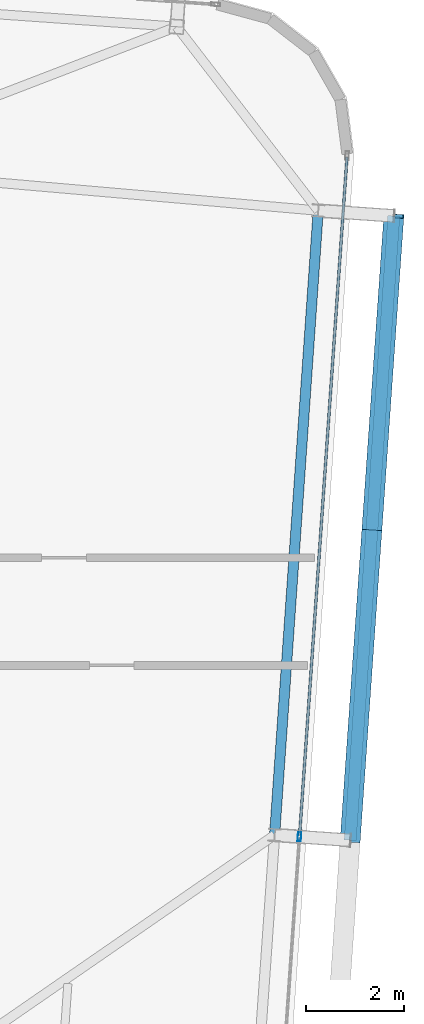
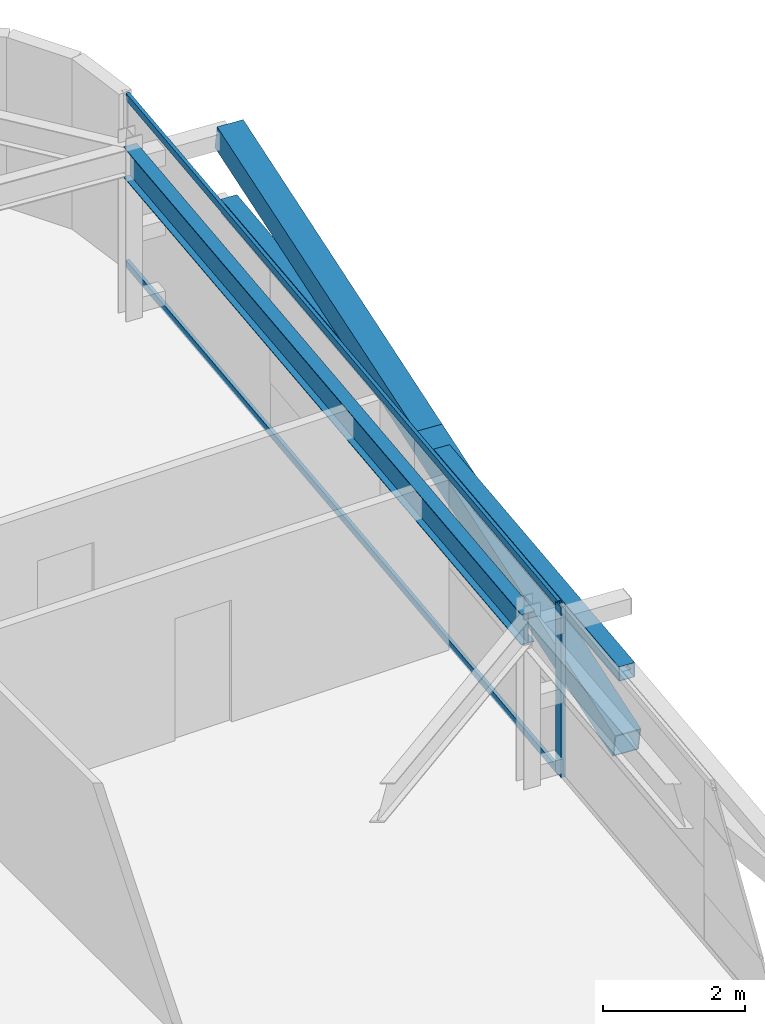
# One storey, part 17 of 39: 6 members, 1 beam, 1 element without a shape of its own.
"""IFC4 building model written with IfcOpenShell, lengths in metres."""

from ifc_helpers import new_model, si_unit, direction, frame, origin, origin_2d, place, context, subcontext, project, spatial, hollow_rectangle, i_section, extrude, source, transform, mapped, material, layer, layer_set, material_profile, profile_set, type_object, element, aggregate, save


model = new_model("IFC4")

# Units and contexts
model_context = context("Model", 3, precision=1e-05, world=origin(), true_north=direction((0.0, 1.0)))
body_context = subcontext(model_context, "Body", "Model", "MODEL_VIEW")
ifc_project = project(units=[si_unit("LENGTHUNIT", "METRE"), si_unit("AREAUNIT", "SQUARE_METRE"), si_unit("VOLUMEUNIT", "CUBIC_METRE"), si_unit("PLANEANGLEUNIT", "RADIAN"), si_unit("MASSUNIT", "GRAM", prefix="KILO")], contexts=[model_context])

# Site, building, storey
site_placement = place(None, origin())
site = spatial("IfcSite", under=ifc_project, at=site_placement, CompositionType="ELEMENT")
building_placement = place(site_placement, origin())
building = spatial("IfcBuilding", under=site, at=building_placement, Name="Taldren Reach Tower", CompositionType="ELEMENT")
storey_placement = place(building_placement, frame((0.0, 0.0, 148.75)))
storey = spatial("IfcBuildingStorey", under=building, at=storey_placement, Name="L45", CompositionType="ELEMENT", Elevation=148.75)

# Beam
ifc_material_1 = material(Name="Steel Gr 350 (350PLUS)", Category="steel")
ifc_material_profile_1 = material_profile(ifc_material_1, i_section(OverallWidth=0.208984375, OverallDepth=0.528076171875, WebThickness=0.009521484375, FlangeThickness=0.01318359375, at=origin_2d()), Name="530UB82.0")
ifc_profile_set_1 = profile_set([ifc_material_profile_1], Name="Steel Gr 350 (350PLUS)")
beam_type = type_object("IfcBeamType", Name="SP-UB530B", PredefinedType="SPANDREL", material=ifc_profile_set_1)
shared_shape_1 = source(origin(), body_context, "Body", "SweptSolid", [
    extrude(i_section(OverallWidth=0.208984375, OverallDepth=0.528076171875, WebThickness=0.009521484375, FlangeThickness=0.01318359375, at=origin_2d()), origin(), (0.0, 0.0, 1.0), 12.800048828125),
])
beam_placement = place(storey_placement, frame((60.438232421875, 18.331787109375, 2.666015625), z_axis=(0.069751876777, 0.9975643717, 0.0), x_axis=(-0.9975643717, 0.069751876777, 0.0)))
element("IfcBeam", 1, at=beam_placement, inside=storey, type_object=beam_type, Name="Perimeter spandrel B3 E2-E3 L45", PredefinedType="SPANDREL", context=body_context, shape_type="MappedRepresentation", body=[
    mapped(shared_shape_1, transform((0.0, 0.0, 0.0), scale=1.0)),
])

# Members
ifc_material_2 = material(Name="Steel Gr 350 (C350L0)", Category="steel")
ifc_material_profile_2 = material_profile(ifc_material_2, hollow_rectangle(XDim=0.25, YDim=0.25, WallThickness=0.010009765625, at=origin_2d()), Name="250x250x10.0SHS")
ifc_profile_set_2 = profile_set([ifc_material_profile_2], Name="Steel Gr 350 (C350L0)")
member_type_1 = type_object("IfcMemberType", Name="MB-POST250", PredefinedType="POST", material=ifc_profile_set_2)
shared_shape_2 = source(origin(), body_context, "Body", "SweptSolid", [
    extrude(hollow_rectangle(XDim=0.25, YDim=0.25, WallThickness=0.010009765625, at=origin_2d()), origin(), (0.0, 0.0, 1.0), 12.800048828125),
])
member_1_placement = place(storey_placement, frame((61.984375, 18.2236328125, 1.43505859375), z_axis=(0.069770857464, 0.997563044348, 0.0), x_axis=(-0.997563044348, 0.069770857464, 0.0)))
element("IfcMember", 2, at=member_1_placement, inside=storey, type_object=member_type_1, Name="Exoskeleton mid-height ring chord B3-E2 L45", PredefinedType="POST", context=body_context, shape_type="MappedRepresentation", body=[
    mapped(shared_shape_2, transform((0.0, 0.0, 0.0), scale=1.0)),
])
ifc_material_3 = material(Name="Steel Gr 450 (C450L0)", Category="steel")
ifc_material_profile_3 = material_profile(ifc_material_3, hollow_rectangle(XDim=0.409912109375, YDim=0.409912109375, WallThickness=0.01611328125, at=origin_2d()), Name="410x410x16.0SHS")
ifc_profile_set_3 = profile_set([ifc_material_profile_3], Name="Steel Gr 450 (C450L0)")
member_type_2 = type_object("IfcMemberType", Name="MB-EXO406", PredefinedType="BRACE", material=ifc_profile_set_3)
shared_shape_3 = source(origin(), body_context, "Body", "SweptSolid", [
    extrude(hollow_rectangle(XDim=0.409912109375, YDim=0.409912109375, WallThickness=0.01611328125, at=origin_2d()), origin(), (0.0, 0.0, 1.0), 6.514404296875),
])
member_2_placement = place(storey_placement, frame((62.430908203125, 24.60791015625, 1.43505859375), z_axis=(0.068545605936, 0.980063499638, 0.186486022492), x_axis=(-0.997563137195, 0.069769529958, 0.0)))
element("IfcMember", 3, at=member_2_placement, inside=storey, type_object=member_type_2, Name="Exoskeleton Diagrid Brace B3-E2 L45", PredefinedType="BRACE", context=body_context, shape_type="MappedRepresentation", body=[
    mapped(shared_shape_3, transform((0.0, 0.0, 0.0), scale=1.0)),
])
shared_shape_4 = source(origin(), body_context, "Body", "SweptSolid", [
    extrude(hollow_rectangle(XDim=0.409912109375, YDim=0.409912109375, WallThickness=0.01611328125, at=origin_2d()), origin(), (0.0, 0.0, 1.0), 6.51416015625),
])
member_3_placement = place(storey_placement, frame((61.984375, 18.2236328125, 0.219970703125), z_axis=(0.068547644544, 0.980055169399, 0.186529046964), x_axis=(-0.997562951496, 0.069772185021, 0.0)))
element("IfcMember", 4, at=member_3_placement, inside=storey, type_object=member_type_2, Name="Exoskeleton Diagrid Brace B3-E2 L45", PredefinedType="BRACE", context=body_context, shape_type="MappedRepresentation", body=[
    mapped(shared_shape_4, transform((0.0, 0.0, 0.0), scale=1.0)),
])

# Curtain wall, members
ifc_material_4 = material(Name="Aluminium and Low-E Glass Unitised System", Category="aluminium")
ifc_layer = layer(ifc_material_4, 0.159912109375)
ifc_layer_set = layer_set([ifc_layer], Name="Aluminium and Low-E Glass Unitised System")
curtain_wall_type = type_object("IfcCurtainWallType", Name="CW-SYS-4", PredefinedType="NOTDEFINED", material=ifc_layer_set)
curtain_wall_placement = place(storey_placement, origin())
curtain_wall = element("IfcCurtainWall", 5, at=curtain_wall_placement, inside=storey, type_object=curtain_wall_type, Name="Unitised curtain wall CW-L45-E", PredefinedType="NOTDEFINED")
ifc_material_5 = material(Name="Anodised Aluminium 6063-T6", Category="aluminium")
ifc_material_profile_4 = material_profile(ifc_material_5, hollow_rectangle(XDim=0.054931640625, YDim=0.1201171875, WallThickness=0.0029296875, at=origin_2d()), Name="ALU-120x55x3RHS")
ifc_profile_set_4 = profile_set([ifc_material_profile_4], Name="Anodised Aluminium 6063-T6")
member_type_3 = type_object("IfcMemberType", Name="CW-TRN-135", PredefinedType="USERDEFINED", material=ifc_profile_set_4)
shared_shape_5 = source(origin(), body_context, "Body", "SweptSolid", [
    extrude(hollow_rectangle(XDim=0.054931640625, YDim=0.1201171875, WallThickness=0.0029296875, at=origin_2d()), origin(), (0.0, 0.0, 1.0), 13.89501953125),
])
member_4_placement = place(storey_placement, frame((60.949462890625, 18.3310546875, 0.027587890625), z_axis=(0.069754817075, 0.997564166104, 0.0), x_axis=(-0.997564166104, 0.069754817075, 0.0)))
member_4 = element("IfcMember", 6, at=member_4_placement, type_object=member_type_3, Name="CW-4 transom 2.1", ObjectType="TRANSOM", PredefinedType="USERDEFINED", context=body_context, shape_type="MappedRepresentation", body=[
    mapped(shared_shape_5, transform((0.0, 0.0, 0.0), scale=1.0)),
])
member_5_placement = place(storey_placement, frame((60.949462890625, 18.3310546875, 2.902587890625), z_axis=(0.069754817075, 0.997564166104, 0.0), x_axis=(-0.997564166104, 0.069754817075, 0.0)))
member_5 = element("IfcMember", 7, at=member_5_placement, type_object=member_type_3, Name="CW-4 transom 2.2", ObjectType="TRANSOM", PredefinedType="USERDEFINED", context=body_context, shape_type="MappedRepresentation", body=[
    mapped(shared_shape_5, transform((0.0, 0.0, 0.0), scale=1.0)),
])
ifc_material_profile_5 = material_profile(ifc_material_5, hollow_rectangle(XDim=0.070068359375, YDim=0.179931640625, WallThickness=0.00390625, at=origin_2d()), Name="ALU-180x70x4RHS")
ifc_profile_set_5 = profile_set([ifc_material_profile_5], Name="Anodised Aluminium 6063-T6")
member_type_4 = type_object("IfcMemberType", Name="CW-MUL-180", PredefinedType="MULLION", material=ifc_profile_set_5)
shared_shape_6 = source(origin(), body_context, "Body", "SweptSolid", [
    extrude(hollow_rectangle(XDim=0.070068359375, YDim=0.179931640625, WallThickness=0.00390625, at=origin_2d()), origin(), (0.0, 0.0, 1.0), 2.929931640625),
])
member_6_placement = place(storey_placement, frame((60.947021484375, 18.296142578125, 0.0), z_axis=(0.0, 0.0, 1.0), x_axis=(-0.997564052812, 0.069756437251, 0.0)))
member_6 = element("IfcMember", 8, at=member_6_placement, type_object=member_type_4, Name="CW-4 mullion 2", PredefinedType="MULLION", context=body_context, shape_type="MappedRepresentation", body=[
    mapped(shared_shape_6, transform((0.0, 0.0, 0.0), scale=1.0)),
])
aggregate(curtain_wall, [member_6, member_4, member_5])

save(model, "model.ifc")
